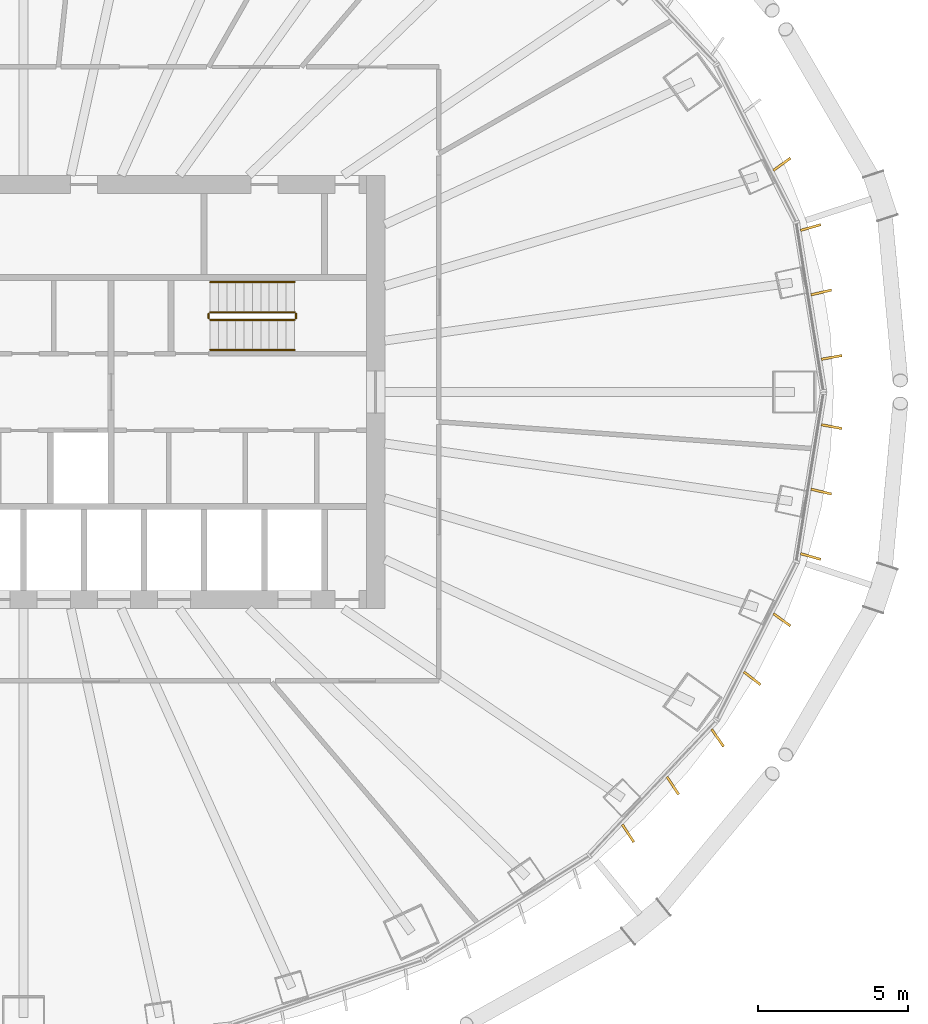
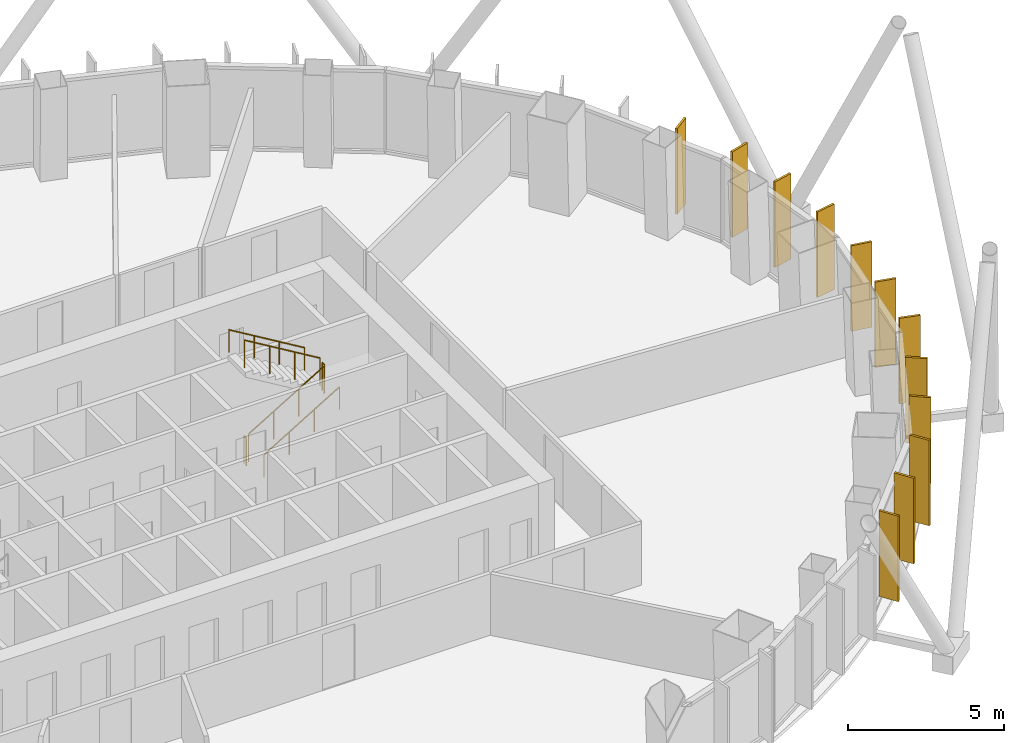
# One storey, part 17 of 18: 12 shading devices, 6 railings.
"""IFC4 building model written with IfcOpenShell, lengths in metres."""

from ifc_helpers import new_model, si_unit, direction, frame, origin, origin_2d, place, context, subcontext, project, spatial, rectangle, circle, extrude, material, layer, layer_set, type_object, element, save


model = new_model("IFC4")

# Units and contexts
model_context = context("Model", 3, precision=1e-05, world=origin(), true_north=direction((0.0, 1.0)))
body_context = subcontext(model_context, "Body", "Model", "MODEL_VIEW")
ifc_project = project(units=[si_unit("LENGTHUNIT", "METRE"), si_unit("AREAUNIT", "SQUARE_METRE"), si_unit("VOLUMEUNIT", "CUBIC_METRE"), si_unit("PLANEANGLEUNIT", "RADIAN"), si_unit("MASSUNIT", "GRAM", prefix="KILO")], contexts=[model_context])

# Site, building, storey
site_placement = place(None, origin())
site = spatial("IfcSite", under=ifc_project, at=site_placement, CompositionType="ELEMENT")
building_placement = place(site_placement, origin())
building = spatial("IfcBuilding", under=site, at=building_placement, Name="Siaravel Broadcast Tower", CompositionType="ELEMENT")
storey_placement = place(building_placement, frame((0.0, 0.0, 81.5)))
storey = spatial("IfcBuildingStorey", under=building, at=storey_placement, Name="L19", CompositionType="ELEMENT", Elevation=81.5)

# Shading devices
ifc_material_1 = material(Name="Bronze anodised aluminium", Category="aluminium")
ifc_layer = layer(ifc_material_1, 0.080078125)
ifc_layer_set = layer_set([ifc_layer], Name="Bronze anodised aluminium")
shading_device_type = type_object("IfcShadingDeviceType", Name="Bronze fin zone 1", PredefinedType="USERDEFINED", material=ifc_layer_set)
for number, where, z_axis, x_axis, name in (
    (1, (26.84814453125, 1.150390625, 0.300048828125), (0.0, 0.0, 1.0), (0.983211624, 0.18246891, 0.0), "Bronze fin L19-01"),
    (2, (26.50048828125, 3.308837890625, 0.300048828125), (0.0, 0.0, 1.0), (0.973373658, 0.229224175, 0.0), "Bronze fin L19-02"),
    (3, (26.152099609375, 5.466064453125, 0.300048828125), (0.0, 0.0, 1.0), (0.96214097, 0.272552297, 0.0), "Bronze fin L19-03"),
    (4, (25.195556640625, 7.5673828125, 0.300048828125), (0.0, 0.0, 1.0), (0.811608651, 0.584201505, 0.0), "Bronze fin L19-04"),
    (5, (20.08447265625, -14.6640625, 0.300048828125), (0.0, 0.0, 1.0), (0.544374068, -0.83884258, 0.0), "Bronze fin L19-63"),
    (6, (21.5703125, -13.078857421875, 0.300048828125), (0.0, 0.0, 1.0), (0.552551017, -0.833479078, 0.0), "Bronze fin L19-64"),
    (7, (23.058837890625, -11.491943359375, 0.300048828125), (0.0, 0.0, 1.0), (0.567128082, -0.823629613, 0.0), "Bronze fin L19-65"),
    (8, (24.209716796875, -9.5126953125, 0.300048828125), (0.0, 0.0, 1.0), (0.791658797, -0.610963459, 0.0), "Bronze fin L19-66"),
    (9, (25.195556640625, -7.5673828125, 0.300048828125), (0.0, 0.0, 1.0), (0.811608651, -0.584201505, 0.0), "Bronze fin L19-67"),
    (10, (26.152099609375, -5.466064453125, 0.300048828125), (0.0, 0.0, 1.0), (0.96214097, -0.272552297, 0.0), "Bronze fin L19-68"),
    (11, (26.50048828125, -3.308837890625, 0.300048828125), (0.0, 0.0, 1.0), (0.973373658, -0.229224175, 0.0), "Bronze fin L19-69"),
    (12, (26.84814453125, -1.150390625, 0.300048828125), (0.0, 0.0, 1.0), (0.983211624, -0.18246891, 0.0), "Bronze fin L19-70"),
):
    element("IfcShadingDevice", number, at=place(storey_placement, frame(where, z_axis=z_axis, x_axis=x_axis)), inside=storey, type_object=shading_device_type, Name=name, ObjectType="FIN", PredefinedType="USERDEFINED", context=body_context, shape_type="SweptSolid", body=[
        extrude(rectangle(XDim=0.699951171875, YDim=0.080078125, at=origin_2d()), origin(), (0.0, 0.0, 1.0), 3.35009765625),
    ])

# Railings
ifc_material_2 = material(Name="Stainless steel 316L", Category="steel")
railing_type_1 = type_object("IfcRailingType", Name="Stair guard 1100", PredefinedType="GUARDRAIL", material=ifc_material_2)
railing_1_placement = place(storey_placement, frame((6.199951171875, 2.39990234375, 0.168212890625)))
element("IfcRailing", 13, at=railing_1_placement, inside=storey, type_object=railing_type_1, Name="L19 ST-2 stair guard 1", PredefinedType="GUARDRAIL", context=body_context, shape_type="SweptSolid", body=[
    extrude(circle(Radius=0.02392578125, at=origin_2d()), frame((0.0, 0.0, 1.076171875), z_axis=(0.857242211, 0.0, 0.514913383), x_axis=(0.0, 1.0, 0.0)), (0.0, 0.0, 1.0), 3.266357421875),
    extrude(circle(Radius=0.02099609375, at=origin_2d()), origin(), (0.0, 0.0, 1.0), 1.052001953125),
    extrude(circle(Radius=0.02099609375, at=origin_2d()), frame((0.933349609375, 0.0, 0.560546875)), (0.0, 0.0, 1.0), 1.052001953125),
    extrude(circle(Radius=0.02099609375, at=origin_2d()), frame((1.86669921875, 0.0, 1.121337890625)), (0.0, 0.0, 1.0), 1.052001953125),
    extrude(circle(Radius=0.02099609375, at=origin_2d()), frame((2.800048828125, 0.0, 1.681884765625)), (0.0, 0.0, 1.0), 1.052001953125),
])
railing_2_placement = place(storey_placement, frame((9.050048828125, 2.449951171875, 1.85009765625)))
element("IfcRailing", 14, at=railing_2_placement, inside=storey, type_object=railing_type_1, Name="L19 ST-2 stair guard 2", PredefinedType="GUARDRAIL", context=body_context, shape_type="SweptSolid", body=[
    extrude(circle(Radius=0.02392578125, at=origin_2d()), frame((0.0, 0.0, 1.076171875), z_axis=(0.0, 1.0, 0.0), x_axis=(-1.0, 0.0, 0.0)), (0.0, 0.0, 1.0), 0.150146484375),
    extrude(circle(Radius=0.02099609375, at=origin_2d()), origin(), (0.0, 0.0, 1.0), 1.052001953125),
    extrude(circle(Radius=0.02099609375, at=origin_2d()), frame((0.0, 0.150146484375, 0.0)), (0.0, 0.0, 1.0), 1.052001953125),
])
railing_3_placement = place(storey_placement, frame((9.0, 2.64990234375, 2.01806640625)))
element("IfcRailing", 15, at=railing_3_placement, inside=storey, type_object=railing_type_1, Name="L19 ST-2 stair guard 3", PredefinedType="GUARDRAIL", context=body_context, shape_type="SweptSolid", body=[
    extrude(circle(Radius=0.02392578125, at=origin_2d()), frame((0.0, 0.0, 1.076171875), z_axis=(-0.857242211, 0.0, 0.514913383), x_axis=(0.0, -1.0, 0.0)), (0.0, 0.0, 1.0), 3.266357421875),
    extrude(circle(Radius=0.02099609375, at=origin_2d()), origin(), (0.0, 0.0, 1.0), 1.052001953125),
    extrude(circle(Radius=0.02099609375, at=origin_2d()), frame((-0.933349609375, 0.0, 0.560546875)), (0.0, 0.0, 1.0), 1.052001953125),
    extrude(circle(Radius=0.02099609375, at=origin_2d()), frame((-1.86669921875, 0.0, 1.121337890625)), (0.0, 0.0, 1.0), 1.052001953125),
    extrude(circle(Radius=0.02099609375, at=origin_2d()), frame((-2.800048828125, 0.0, 1.681884765625)), (0.0, 0.0, 1.0), 1.052001953125),
])
railing_4_placement = place(storey_placement, frame((6.14990234375, 2.449951171875, 0.0)))
element("IfcRailing", 16, at=railing_4_placement, inside=storey, type_object=railing_type_1, Name="L19 ST-2 stair guard 4", PredefinedType="GUARDRAIL", context=body_context, shape_type="SweptSolid", body=[
    extrude(circle(Radius=0.02392578125, at=origin_2d()), frame((0.0, 0.0, 1.076171875), z_axis=(0.0, 1.0, 0.0), x_axis=(-1.0, 0.0, 0.0)), (0.0, 0.0, 1.0), 0.150146484375),
    extrude(circle(Radius=0.02099609375, at=origin_2d()), origin(), (0.0, 0.0, 1.0), 1.052001953125),
    extrude(circle(Radius=0.02099609375, at=origin_2d()), frame((0.0, 0.150146484375, 0.0)), (0.0, 0.0, 1.0), 1.052001953125),
])
railing_type_2 = type_object("IfcRailingType", Name="Stair handrail 900", PredefinedType="HANDRAIL", material=ifc_material_2)
railing_5_placement = place(storey_placement, frame((6.199951171875, 1.39990234375, 0.168212890625)))
element("IfcRailing", 17, at=railing_5_placement, inside=storey, type_object=railing_type_2, Name="L19 ST-2 stair handrail 1", PredefinedType="HANDRAIL", context=body_context, shape_type="SweptSolid", body=[
    extrude(circle(Radius=0.02392578125, at=origin_2d()), frame((0.0, 0.0, 0.8759765625), z_axis=(0.857242211, 0.0, 0.514913383), x_axis=(0.0, 1.0, 0.0)), (0.0, 0.0, 1.0), 3.266357421875),
    extrude(circle(Radius=0.02099609375, at=origin_2d()), origin(), (0.0, 0.0, 1.0), 0.851806640625),
    extrude(circle(Radius=0.02099609375, at=origin_2d()), frame((0.933349609375, 0.0, 0.560546875)), (0.0, 0.0, 1.0), 0.851806640625),
    extrude(circle(Radius=0.02099609375, at=origin_2d()), frame((1.86669921875, 0.0, 1.121337890625)), (0.0, 0.0, 1.0), 0.851806640625),
    extrude(circle(Radius=0.02099609375, at=origin_2d()), frame((2.800048828125, 0.0, 1.681884765625)), (0.0, 0.0, 1.0), 0.851806640625),
])
railing_6_placement = place(storey_placement, frame((9.0, 3.64990234375, 2.01806640625)))
element("IfcRailing", 18, at=railing_6_placement, inside=storey, type_object=railing_type_2, Name="L19 ST-2 stair handrail 2", PredefinedType="HANDRAIL", context=body_context, shape_type="SweptSolid", body=[
    extrude(circle(Radius=0.02392578125, at=origin_2d()), frame((0.0, 0.0, 0.8759765625), z_axis=(-0.857242211, 0.0, 0.514913383), x_axis=(0.0, -1.0, 0.0)), (0.0, 0.0, 1.0), 3.266357421875),
    extrude(circle(Radius=0.02099609375, at=origin_2d()), origin(), (0.0, 0.0, 1.0), 0.851806640625),
    extrude(circle(Radius=0.02099609375, at=origin_2d()), frame((-0.933349609375, 0.0, 0.560546875)), (0.0, 0.0, 1.0), 0.851806640625),
    extrude(circle(Radius=0.02099609375, at=origin_2d()), frame((-1.86669921875, 0.0, 1.121337890625)), (0.0, 0.0, 1.0), 0.851806640625),
    extrude(circle(Radius=0.02099609375, at=origin_2d()), frame((-2.800048828125, 0.0, 1.681884765625)), (0.0, 0.0, 1.0), 0.851806640625),
])

save(model, "model.ifc")
